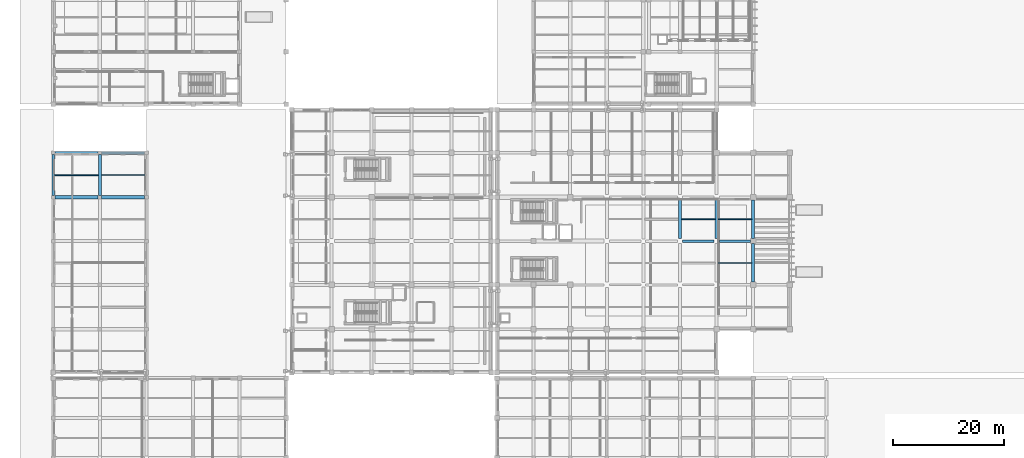
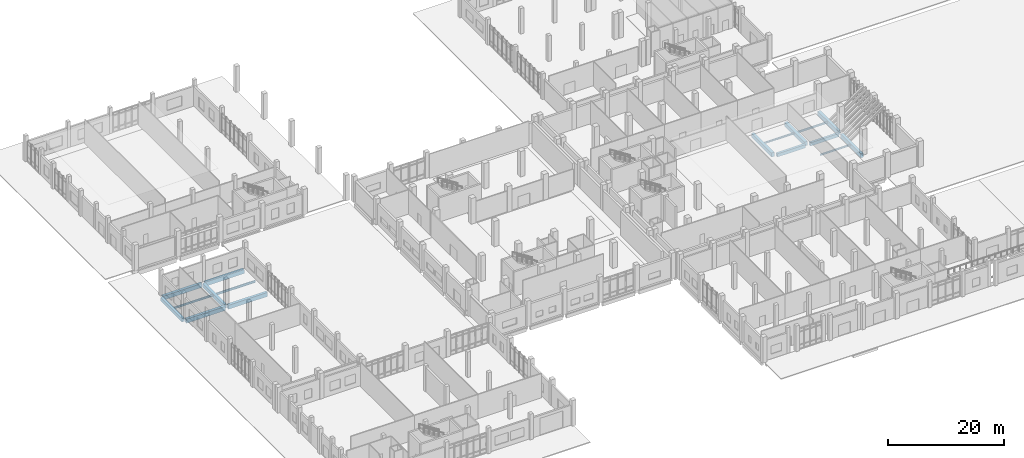
# One storey, part 18 of 79: 17 beams.
"""IFC4 building model written with IfcOpenShell, lengths in metres."""

import ifcopenshell
import ifcopenshell.guid

model = None  # the IFC model being written
_history = None  # IfcOwnerHistory: only IFC2X3 demands one
_inside = {}  # id of a spatial element -> (the spatial element, [elements in it])
_under = {}  # id of a project, library or spatial element -> (it, [spatial elements below it])
_declared = {}  # id of a project -> (the project, [libraries it declares])
_typed = {}  # id of a type object -> (the type object, [elements of that type])
_made_of = {}  # id of a material, layer set ... -> (it, [elements and type objects made of it])


def new_model(schema):
    """Start an empty IFC model of exactly this schema.

    Asked for "IFC4X3", IfcOpenShell would pick the latest addendum, in which some entities
    have other attributes; the version numbers below select the first issue.
    IFC2X3 requires an IfcOwnerHistory on every rooted entity: one is made here for all.
    """
    global model, _history
    if schema == "IFC4X3":
        model = ifcopenshell.file(schema_version=(4, 3, 0, 0))
    else:
        model = ifcopenshell.file(schema=schema)
    _inside.clear()
    _under.clear()
    _declared.clear()
    _typed.clear()
    _made_of.clear()
    _history = None
    if model.schema == "IFC2X3":
        org = make("IfcOrganization", Name="unknown")
        user = make(
            "IfcPersonAndOrganization",
            ThePerson=make("IfcPerson", FamilyName="unknown"),
            TheOrganization=org,
        )
        app = make(
            "IfcApplication",
            ApplicationDeveloper=org,
            Version="unknown",
            ApplicationFullName="unknown",
            ApplicationIdentifier="unknown",
        )
        _history = make(
            "IfcOwnerHistory",
            OwningUser=user,
            OwningApplication=app,
            ChangeAction="ADDED",
            CreationDate=0,
        )
    return model


def make(cls, **values):
    """One entity of the class cls with the attributes given. An attribute that is None is left unset."""
    return model.create_entity(
        cls, **{name: value for name, value in values.items() if value is not None}
    )


def rooted(cls, **values):
    """An entity with a GlobalId (a new one), such as an element, a storey or a relation."""
    return make(cls, GlobalId=ifcopenshell.guid.new(), OwnerHistory=_history, **values)


def si_unit(unit_type, name, prefix=None):
    """IfcSIUnit, for example si_unit("LENGTHUNIT", "METRE", prefix="MILLI")."""
    return make("IfcSIUnit", UnitType=unit_type, Prefix=prefix, Name=name)


def assignment(units):
    """IfcUnitAssignment: the units of a project."""
    return None if units is None else make("IfcUnitAssignment", Units=units)


def point(xyz):
    """IfcCartesianPoint."""
    return None if xyz is None else make("IfcCartesianPoint", Coordinates=xyz)


def direction(xyz):
    """IfcDirection."""
    return None if xyz is None else make("IfcDirection", DirectionRatios=xyz)


def frame(location, z_axis=None, x_axis=None):
    """IfcAxis2Placement3D, a coordinate frame: its origin and axes. An axis left out is left unset."""
    return make(
        "IfcAxis2Placement3D",
        Location=point(location),
        Axis=direction(z_axis),
        RefDirection=direction(x_axis),
    )


def frame_2d(location, x_axis=None):
    """IfcAxis2Placement2D, a coordinate frame in the plane: its origin and x axis."""
    return make(
        "IfcAxis2Placement2D", Location=point(location), RefDirection=direction(x_axis)
    )


def origin():
    """The frame at (0, 0, 0) with its axes left unset."""
    return frame((0.0, 0.0, 0.0))


def origin_2d():
    """The frame at (0, 0) in the plane with its x axis left unset."""
    return frame_2d((0.0, 0.0))


def place(relative_to, where):
    """IfcLocalPlacement: puts the frame where relative to a parent placement (None: the world)."""
    return make(
        "IfcLocalPlacement", PlacementRelTo=relative_to, RelativePlacement=where
    )


def context(
    kind, dimensions, precision=None, world=None, true_north=None, identifier=None
):
    """IfcGeometricRepresentationContext, for example the 3D "Model" context."""
    return make(
        "IfcGeometricRepresentationContext",
        ContextIdentifier=identifier,
        ContextType=kind,
        CoordinateSpaceDimension=dimensions,
        Precision=precision,
        WorldCoordinateSystem=world,
        TrueNorth=true_north,
    )


def subcontext(parent, identifier, kind, view, scale=None):
    """IfcGeometricRepresentationSubContext, for example "Body" below "Model"."""
    return make(
        "IfcGeometricRepresentationSubContext",
        ContextIdentifier=identifier,
        ContextType=kind,
        ParentContext=parent,
        TargetScale=scale,
        TargetView=view,
    )


def project(units=None, contexts=None):
    """IfcProject with its units and contexts."""
    return rooted(
        "IfcProject",
        Name="project",
        RepresentationContexts=contexts,
        UnitsInContext=assignment(units),
    )


def spatial(cls, under=None, at=None, **own):
    """A site, building, storey or space (cls), placed at a placement, below another one or the project."""
    s = rooted(cls, ObjectPlacement=at, **own)
    if under is not None:
        _under.setdefault(under.id(), (under, []))[1].append(s)
    return s


def profile(cls, at=None, kind="AREA", **sizes):
    """A parametric profile (cls). Its sizes go by their IFC names, for example OverallWidth=200.0."""
    return make(cls, ProfileType=kind, Position=at, **sizes)


def rectangle(**sizes):
    """IfcRectangleProfileDef."""
    return profile("IfcRectangleProfileDef", **sizes)


def i_section(**sizes):
    """IfcIShapeProfileDef."""
    return profile("IfcIShapeProfileDef", **sizes)


def extrude(swept, where, along, depth):
    """IfcExtrudedAreaSolid: the profile swept, set in the frame where, extruded along a direction by depth."""
    return make(
        "IfcExtrudedAreaSolid",
        SweptArea=swept,
        Position=where,
        ExtrudedDirection=direction(along),
        Depth=depth,
    )


def shape(context_of_items, identifier, shape_type, items):
    """IfcShapeRepresentation: the items that make up one representation, for example the "Body"."""
    return make(
        "IfcShapeRepresentation",
        ContextOfItems=context_of_items,
        RepresentationIdentifier=identifier,
        RepresentationType=shape_type,
        Items=items,
    )


def material(Name=None, Category=None):
    """IfcMaterial."""
    return make("IfcMaterial", Name=Name, Category=Category)


def material_profile(
    of_material, cross_section, Name=None, Category=None, Priority=None
):
    """IfcMaterialProfile: a cross section and its material."""
    return make(
        "IfcMaterialProfile",
        Name=Name,
        Material=of_material,
        Profile=cross_section,
        Priority=Priority,
        Category=Category,
    )


def profile_set(profiles, Name=None, composite=None):
    """IfcMaterialProfileSet."""
    return make(
        "IfcMaterialProfileSet",
        Name=Name,
        MaterialProfiles=profiles,
        CompositeProfile=composite,
    )


def made_of(thing, what):
    """Note that an element or type object is made of a material, layer set ...; save() writes the relation."""
    if what is not None:
        _made_of.setdefault(what.id(), (what, []))[1].append(thing)
    return thing


def type_object(cls, material=None, **own):
    """A type object (cls), such as IfcWallType, which elements share."""
    return made_of(rooted(cls, **own), material)


def element(
    cls,
    number,
    at=None,
    inside=None,
    cuts=None,
    type_object=None,
    material=None,
    context=None,
    identifier="Body",
    shape_type=None,
    held_by="IfcProductDefinitionShape",
    body=None,
    shapes=None,
    **own,
):
    """One element of the class cls, such as IfcWall. Its Tag is "e" and its number.

    at: its placement. inside: the storey or other place that contains it. cuts: it is an
    opening in that element (IfcRelVoidsElement). A single representation is given by context,
    identifier, shape_type and body (its items); several are given by shapes. held_by: the class
    of the entity that holds the representations. save() writes the other relations.
    """
    e = rooted(cls, Tag="e%d" % number, ObjectPlacement=at, **own)
    if body is not None:
        shapes = [shape(context, identifier, shape_type, body)]
    if shapes is not None:
        e.Representation = make(held_by, Representations=shapes)
    if inside is not None:
        _inside.setdefault(inside.id(), (inside, []))[1].append(e)
    if cuts is not None:
        rooted(
            "IfcRelVoidsElement", RelatingBuildingElement=cuts, RelatedOpeningElement=e
        )
    if type_object is not None:
        _typed.setdefault(type_object.id(), (type_object, []))[1].append(e)
    return made_of(e, material)


def aggregate(whole, parts):
    """IfcRelAggregates: a whole, such as a stair, and the parts it consists of."""
    return rooted("IfcRelAggregates", RelatingObject=whole, RelatedObjects=parts)


def save(model, path):
    """Write the relations noted so far, then the file.

    IfcRelAggregates (storeys below a building ...), IfcRelContainedInSpatialStructure (elements
    in a storey), IfcRelDefinesByType, IfcRelAssociatesMaterial and IfcRelDeclares: one each for
    every whole, place, type object, material and project.
    """
    for whole, parts in _under.values():
        aggregate(whole, parts)
    for where, things in _inside.values():
        rooted(
            "IfcRelContainedInSpatialStructure",
            RelatedElements=things,
            RelatingStructure=where,
        )
    for kind, things in _typed.values():
        rooted("IfcRelDefinesByType", RelatedObjects=things, RelatingType=kind)
    for what, things in _made_of.values():
        rooted("IfcRelAssociatesMaterial", RelatedObjects=things, RelatingMaterial=what)
    for by, libraries in _declared.values():
        rooted("IfcRelDeclares", RelatingContext=by, RelatedDefinitions=libraries)
    model.write(path)


model = new_model("IFC4")

# Units and contexts
model_context = context("Model", 3, precision=1e-05, world=origin(), true_north=direction((0.0, 1.0)))
body_context = subcontext(model_context, "Body", "Model", "MODEL_VIEW")
ifc_project = project(units=[si_unit("LENGTHUNIT", "METRE"), si_unit("AREAUNIT", "SQUARE_METRE"), si_unit("VOLUMEUNIT", "CUBIC_METRE"), si_unit("PLANEANGLEUNIT", "RADIAN"), si_unit("MASSUNIT", "GRAM", prefix="KILO")], contexts=[model_context])

# Site, building, storey
site_placement = place(None, origin())
site = spatial("IfcSite", under=ifc_project, at=site_placement, CompositionType="ELEMENT")
building_placement = place(site_placement, origin())
building = spatial("IfcBuilding", under=site, at=building_placement, Name="Kelarvand Opera House", CompositionType="ELEMENT")
storey_placement = place(building_placement, origin())
storey = spatial("IfcBuildingStorey", under=building, at=storey_placement, Name="L00", CompositionType="ELEMENT", Elevation=0.0)

# Beams
ifc_material_1 = material(Name="Concrete C40/50", Category="concrete")
ifc_material_profile_1 = material_profile(ifc_material_1, rectangle(XDim=0.449951171875, YDim=0.699951171875, at=origin_2d()), Name="RC 450x700", Category="concrete")
ifc_profile_set_1 = profile_set([ifc_material_profile_1], Name="Concrete C40/50")
beam_type_1 = type_object("IfcBeamType", Name="Structural Beam RC 450x700 BM-RC450x700", PredefinedType="BEAM", material=ifc_profile_set_1)
beam_1_placement = place(storey_placement, frame((122.47509765625, 62.5, -0.669921875), z_axis=(1.0, 0.0, 0.0), x_axis=(0.0, 1.0, 0.0)))
element("IfcBeam", 1, at=beam_1_placement, inside=storey, type_object=beam_type_1, Name="V1 L00 Beam BM-RC450x700", PredefinedType="BEAM", context=body_context, shape_type="SweptSolid", body=[
    extrude(rectangle(XDim=0.449951171875, YDim=0.699951171875, at=origin_2d()), origin(), (0.0, 0.0, 1.0), 5.64990234375),
])
beam_2_placement = place(storey_placement, frame((129.074951171875, 62.5, -0.669921875), z_axis=(1.0, 0.0, 0.0), x_axis=(0.0, 1.0, 0.0)))
element("IfcBeam", 2, at=beam_2_placement, inside=storey, type_object=beam_type_1, Name="V1 L00 Beam BM-RC450x700", PredefinedType="BEAM", context=body_context, shape_type="SweptSolid", body=[
    extrude(rectangle(XDim=0.449951171875, YDim=0.699951171875, at=origin_2d()), origin(), (0.0, 0.0, 1.0), 5.650146484375),
])
ifc_material_profile_2 = material_profile(ifc_material_1, rectangle(XDim=0.550048828125, YDim=0.85009765625, at=origin_2d()), Name="RC 550x850", Category="concrete")
ifc_profile_set_2 = profile_set([ifc_material_profile_2], Name="Concrete C40/50")
beam_type_2 = type_object("IfcBeamType", Name="Structural Beam RC 550x850 BM-RC550x850", PredefinedType="BEAM", material=ifc_profile_set_2)
for number, where, z_axis, x_axis, name in (
    (3, (122.0, 62.97509765625, -0.7451171875), (0.0, 1.0, 0.0), (-1.0, 0.0, 0.0), "V1 L00 Beam BM-RC550x850"),
    (4, (128.60009765625, 62.97509765625, -0.7451171875), (0.0, 1.0, 0.0), (-1.0, 0.0, 0.0), "V1 L00 Beam BM-RC550x850"),
    (5, (135.199951171875, 55.074951171875, -0.7451171875), (0.0, 1.0, 0.0), (-1.0, 0.0, 0.0), "V1 L00 Beam BM-RC550x850"),
    (6, (135.199951171875, 62.97509765625, -0.7451171875), (0.0, 1.0, 0.0), (-1.0, 0.0, 0.0), "V1 L00 Beam BM-RC550x850"),
):
    element("IfcBeam", number, at=place(storey_placement, frame(where, z_axis=z_axis, x_axis=x_axis)), inside=storey, type_object=beam_type_2, Name=name, PredefinedType="BEAM", context=body_context, shape_type="SweptSolid", body=[
        extrude(rectangle(XDim=0.550048828125, YDim=0.85009765625, at=origin_2d()), origin(), (0.0, 0.0, 1.0), 6.949951171875),
    ])
for number, where, z_axis, x_axis, name in (
    (7, (9.324951171875, 70.39990234375, -0.72509765625), (1.0, 0.0, 0.0), (0.0, 1.0, 0.0), "V4 L00 Beam BM-RC550x850"),
    (8, (17.72509765625, 70.39990234375, -0.72509765625), (1.0, 0.0, 0.0), (0.0, 1.0, 0.0), "V4 L00 Beam BM-RC550x850"),
    (9, (9.324951171875, 78.39990234375, -0.72509765625), (1.0, 0.0, 0.0), (0.0, 1.0, 0.0), "V4 L00 Beam BM-RC550x850"),
    (10, (17.72509765625, 78.39990234375, -0.72509765625), (1.0, 0.0, 0.0), (0.0, 1.0, 0.0), "V4 L00 Beam BM-RC550x850"),
):
    element("IfcBeam", number, at=place(storey_placement, frame(where, z_axis=z_axis, x_axis=x_axis)), inside=storey, type_object=beam_type_2, Name=name, PredefinedType="BEAM", context=body_context, shape_type="SweptSolid", body=[
        extrude(rectangle(XDim=0.550048828125, YDim=0.85009765625, at=origin_2d()), origin(), (0.0, 0.0, 1.0), 7.75),
    ])
beam_3_placement = place(storey_placement, frame((17.39990234375, 70.72509765625, -0.72509765625), z_axis=(0.0, 1.0, 0.0), x_axis=(-1.0, 0.0, 0.0)))
element("IfcBeam", 11, at=beam_3_placement, inside=storey, type_object=beam_type_2, Name="V4 L00 Beam BM-RC550x850", PredefinedType="BEAM", context=body_context, shape_type="SweptSolid", body=[
    extrude(rectangle(XDim=0.550048828125, YDim=0.85009765625, at=origin_2d()), origin(), (0.0, 0.0, 1.0), 7.349853515625),
])
ifc_material_2 = material(Name="Steel S355", Category="steel")
ifc_material_profile_3 = material_profile(ifc_material_2, i_section(OverallWidth=0.169921875, OverallDepth=0.360107421875, WebThickness=0.008056640625, FlangeThickness=0.0126953125, at=origin_2d()), Name="IPE 360", Category="steel")
ifc_profile_set_3 = profile_set([ifc_material_profile_3], Name="Steel S355")
beam_type_3 = type_object("IfcBeamType", Name="Structural Joist IPE 360 JS-IPE360", PredefinedType="JOIST", material=ifc_profile_set_3)
for number, where, z_axis, x_axis, name in (
    (12, (122.27490234375, 66.449951171875, -0.5), (1.0, 0.0, 0.0), (0.0, 1.0, 0.0), "V1 L00 Beam JS-IPE360"),
    (13, (128.875, 58.550048828125, -0.5), (1.0, 0.0, 0.0), (0.0, 1.0, 0.0), "V1 L00 Beam JS-IPE360"),
):
    element("IfcBeam", number, at=place(storey_placement, frame(where, z_axis=z_axis, x_axis=x_axis)), inside=storey, type_object=beam_type_3, Name=name, PredefinedType="JOIST", context=body_context, shape_type="SweptSolid", body=[
        extrude(i_section(OverallWidth=0.169921875, OverallDepth=0.360107421875, WebThickness=0.008056640625, FlangeThickness=0.0126953125, at=origin_2d()), origin(), (0.0, 0.0, 1.0), 6.050048828125),
    ])
ifc_material_profile_4 = material_profile(ifc_material_2, i_section(OverallWidth=0.179931640625, OverallDepth=0.39990234375, WebThickness=0.008544921875, FlangeThickness=0.013427734375, at=origin_2d()), Name="IPE 400", Category="steel")
ifc_profile_set_4 = profile_set([ifc_material_profile_4], Name="Steel S355")
beam_type_4 = type_object("IfcBeamType", Name="Structural Joist IPE 400 JS-IPE400", PredefinedType="JOIST", material=ifc_profile_set_4)
beam_4_placement = place(storey_placement, frame((128.875, 66.449951171875, -0.52001953125), z_axis=(1.0, 0.0, 0.0), x_axis=(0.0, 1.0, 0.0)))
element("IfcBeam", 14, at=beam_4_placement, inside=storey, type_object=beam_type_4, Name="V1 L00 Beam JS-IPE400", PredefinedType="JOIST", context=body_context, shape_type="SweptSolid", body=[
    extrude(i_section(OverallWidth=0.179931640625, OverallDepth=0.39990234375, WebThickness=0.008544921875, FlangeThickness=0.013427734375, at=origin_2d()), origin(), (0.0, 0.0, 1.0), 6.050048828125),
])
beam_5_placement = place(storey_placement, frame((9.25, 74.39990234375, -0.5), z_axis=(1.0, 0.0, 0.0), x_axis=(0.0, 1.0, 0.0)))
element("IfcBeam", 15, at=beam_5_placement, inside=storey, type_object=beam_type_4, Name="V4 L00 Beam JS-IPE400", PredefinedType="JOIST", context=body_context, shape_type="SweptSolid", body=[
    extrude(i_section(OverallWidth=0.179931640625, OverallDepth=0.39990234375, WebThickness=0.008544921875, FlangeThickness=0.013427734375, at=origin_2d()), origin(), (0.0, 0.0, 1.0), 7.875),
])
ifc_material_profile_5 = material_profile(ifc_material_2, i_section(OverallWidth=0.18994140625, OverallDepth=0.449951171875, WebThickness=0.009521484375, FlangeThickness=0.0146484375, at=origin_2d()), Name="IPE 450", Category="steel")
ifc_profile_set_5 = profile_set([ifc_material_profile_5], Name="Steel S355")
beam_type_5 = type_object("IfcBeamType", Name="Structural Joist IPE 450 JS-IPE450", PredefinedType="JOIST", material=ifc_profile_set_5)
beam_6_placement = place(storey_placement, frame((17.675048828125, 74.39990234375, -0.52490234375), z_axis=(1.0, 0.0, 0.0), x_axis=(0.0, 1.0, 0.0)))
element("IfcBeam", 16, at=beam_6_placement, inside=storey, type_object=beam_type_5, Name="V4 L00 Beam JS-IPE450", PredefinedType="JOIST", context=body_context, shape_type="SweptSolid", body=[
    extrude(i_section(OverallWidth=0.18994140625, OverallDepth=0.449951171875, WebThickness=0.009521484375, FlangeThickness=0.0146484375, at=origin_2d()), origin(), (0.0, 0.0, 1.0), 7.849853515625),
])
ifc_material_profile_6 = material_profile(ifc_material_1, rectangle(XDim=0.5, YDim=0.75, at=origin_2d()), Name="RC 500x750", Category="concrete")
ifc_profile_set_6 = profile_set([ifc_material_profile_6], Name="Concrete C40/50")
beam_type_6 = type_object("IfcBeamType", Name="Structural Spandrel RC 500x750 SP-RC500x750E", PredefinedType="SPANDREL", material=ifc_profile_set_6)
beam_7_placement = place(storey_placement, frame((9.0, 70.72509765625, -0.675048828125), z_axis=(0.0, 1.0, 0.0), x_axis=(-1.0, 0.0, 0.0)))
element("IfcBeam", 17, at=beam_7_placement, inside=storey, type_object=beam_type_6, Name="V4 L00 Beam SP-RC500x750E", PredefinedType="SPANDREL", context=body_context, shape_type="SweptSolid", body=[
    extrude(rectangle(XDim=0.5, YDim=0.75, at=origin_2d()), origin(), (0.0, 0.0, 1.0), 7.349853515625),
])

save(model, "model.ifc")
